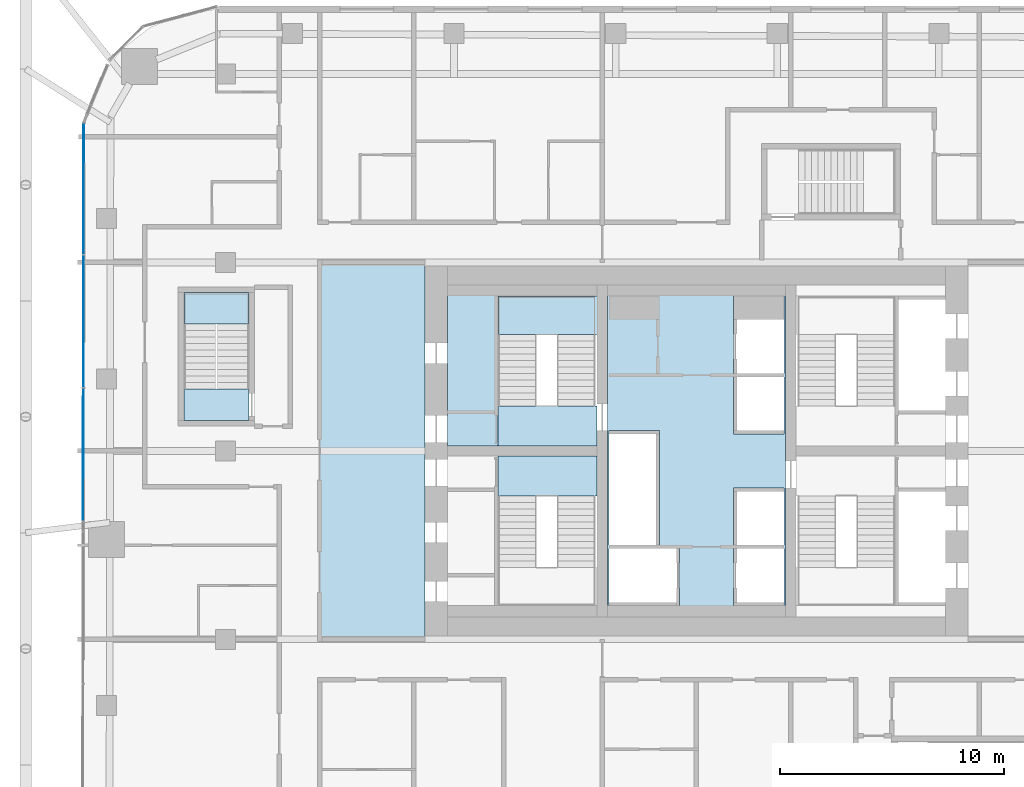
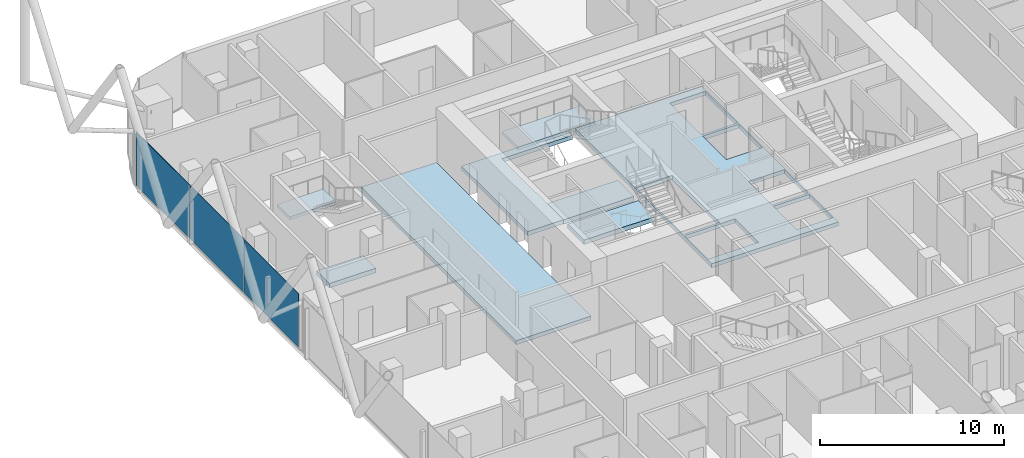
# One storey, part 24 of 36: 8 slabs, 3 plates, 3 elements without a shape of their own.
"""IFC4 building model written with IfcOpenShell, lengths in metres."""

from ifc_helpers import new_model, si_unit, direction, frame, origin, origin_2d, place, context, subcontext, project, spatial, polyline, rectangle, outline, extrude, material, layer, layer_set, type_object, element, aggregate, save


model = new_model("IFC4")

# Units and contexts
model_context = context("Model", 3, precision=1e-05, world=origin(), true_north=direction((0.0, 1.0)))
body_context = subcontext(model_context, "Body", "Model", "MODEL_VIEW")
ifc_project = project(units=[si_unit("LENGTHUNIT", "METRE"), si_unit("AREAUNIT", "SQUARE_METRE"), si_unit("VOLUMEUNIT", "CUBIC_METRE"), si_unit("PLANEANGLEUNIT", "RADIAN"), si_unit("MASSUNIT", "GRAM", prefix="KILO")], contexts=[model_context])

# Site, building, storey
site_placement = place(None, origin())
site = spatial("IfcSite", under=ifc_project, at=site_placement, CompositionType="ELEMENT")
building_placement = place(site_placement, origin())
building = spatial("IfcBuilding", under=site, at=building_placement, Name="Marenta Gate Hotel Tower", CompositionType="ELEMENT")
storey_placement = place(building_placement, frame((0.0, 0.0, 130.10009765625)))
storey = spatial("IfcBuildingStorey", under=building, at=storey_placement, Name="L29", CompositionType="ELEMENT", Elevation=130.10009765625)

# Slabs
ifc_material_1 = material(Name="Concrete C40", Category="concrete")
ifc_layer_1 = layer(ifc_material_1, 0.260009765625)
ifc_layer_set_1 = layer_set([ifc_layer_1], Name="Concrete C40")
slab_type_1 = type_object("IfcSlabType", Name="Core floor slab 260", PredefinedType="FLOOR", material=ifc_layer_set_1)
slab_1_placement = place(storey_placement, frame((0.0, 0.0, -0.260009765625)))
element("IfcSlab", 1, at=slab_1_placement, inside=storey, type_object=slab_type_1, Name="L29-CF-4", PredefinedType="FLOOR", context=body_context, shape_type="SweptSolid", body=[
    extrude(outline(polyline([(3.97509765625, 15.300048828125), (3.97509765625, 10.39990234375), (3.97509765625, 6.39990234375), (3.97509765625, 1.5), (3.97509765625, 1.0), (-3.97509765625, 1.0), (-3.97509765625, 1.5), (-3.97509765625, 6.39990234375), (-3.97509765625, 10.39990234375), (-3.97509765625, 15.300048828125), (-3.97509765625, 15.800048828125), (3.97509765625, 15.800048828125), (3.97509765625, 15.300048828125)]), holes=[polyline([(1.64990234375, 1.5), (3.89990234375, 1.5), (3.89990234375, 1.64990234375), (3.89990234375, 4.050048828125), (1.800048828125, 4.050048828125), (1.64990234375, 4.050048828125), (1.64990234375, 1.64990234375), (1.64990234375, 1.5)]), polyline([(1.64990234375, 6.60009765625), (1.64990234375, 4.199951171875), (1.800048828125, 4.199951171875), (3.89990234375, 4.199951171875), (3.89990234375, 6.60009765625), (3.89990234375, 6.75), (1.64990234375, 6.75), (1.64990234375, 6.60009765625)]), polyline([(1.64990234375, 9.14990234375), (3.89990234375, 9.14990234375), (3.89990234375, 9.300048828125), (3.89990234375, 11.699951171875), (1.800048828125, 11.699951171875), (1.64990234375, 11.699951171875), (1.64990234375, 9.300048828125), (1.64990234375, 9.14990234375)]), polyline([(1.64990234375, 15.300048828125), (1.64990234375, 14.25), (1.64990234375, 11.85009765625), (1.800048828125, 11.85009765625), (3.89990234375, 11.85009765625), (3.89990234375, 14.25), (3.89990234375, 15.300048828125), (1.64990234375, 15.300048828125)]), polyline([(-3.89990234375, 4.050048828125), (-3.89990234375, 1.64990234375), (-3.89990234375, 1.5), (-0.89990234375, 1.5), (-0.75, 1.5), (-0.75, 4.050048828125), (-0.89990234375, 4.050048828125), (-3.89990234375, 4.050048828125)]), polyline([(-1.800048828125, 4.199951171875), (-1.64990234375, 4.199951171875), (-1.64990234375, 9.14990234375), (-1.64990234375, 9.300048828125), (-3.89990234375, 9.300048828125), (-3.89990234375, 9.14990234375), (-3.89990234375, 6.75), (-3.89990234375, 6.60009765625), (-3.89990234375, 4.199951171875), (-1.800048828125, 4.199951171875)])]), origin(), (0.0, 0.0, 1.0), 0.260009765625),
])
slab_2_placement = place(storey_placement, frame((0.0, 0.0, -0.260009765625)))
element("IfcSlab", 2, at=slab_2_placement, inside=storey, type_object=slab_type_1, Name="L29-CF-6", PredefinedType="FLOOR", context=body_context, shape_type="SweptSolid", body=[
    extrude(outline(polyline([(-4.425048828125, 15.300048828125), (-8.85009765625, 15.300048828125), (-8.85009765625, 10.39990234375), (-8.85009765625, 8.699951171875), (-8.85009765625, 8.625), (-11.10009765625, 8.625), (-11.10009765625, 15.800048828125), (-4.425048828125, 15.800048828125), (-4.425048828125, 15.300048828125)])), origin(), (0.0, 0.0, 1.0), 0.260009765625),
])
slab_3_placement = place(storey_placement, frame((0.0, 0.0, -0.260009765625)))
element("IfcSlab", 3, at=slab_3_placement, inside=storey, type_object=slab_type_1, Name="L29-CF-7", PredefinedType="FLOOR", context=body_context, shape_type="SweptSolid", body=[
    extrude(outline(polyline([(-12.10009765625, 16.800048828125), (-12.10009765625, 0.0), (-16.800048828125, 0.0), (-16.800048828125, 16.800048828125), (-12.10009765625, 16.800048828125)])), origin(), (0.0, 0.0, 1.0), 0.260009765625),
])

# Stair, slab
ifc_material_2 = material(Name="Concrete C40", Category="concrete")
stair_type_1 = type_object("IfcStairType", Name="Core exit stair 1700 wide", PredefinedType="HALF_TURN_STAIR", material=ifc_material_2)
stair_1_placement = place(storey_placement, origin())
stair_1 = element("IfcStair", 4, at=stair_1_placement, inside=storey, type_object=stair_type_1, Name="Exit stair 2", PredefinedType="HALF_TURN_STAIR")
ifc_material_3 = material(Name="Concrete C40", Category="concrete")
ifc_layer_2 = layer(ifc_material_3, 0.199951171875)
ifc_layer_set_2 = layer_set([ifc_layer_2], Name="Concrete C40")
slab_type_2 = type_object("IfcSlabType", Name="Core stair landing 200", PredefinedType="LANDING", material=ifc_layer_set_2)
slab_4_placement = place(storey_placement, frame((0.0, 0.0, 1.599853515625)))
slab_4 = element("IfcSlab", 5, at=slab_4_placement, type_object=slab_type_2, Name="SL-200 ST2 landing 1", PredefinedType="LANDING", context=body_context, shape_type="SweptSolid", body=[
    extrude(outline(polyline([(-8.85009765625, 13.590087890625), (-3.97509765625, 13.590087890625), (-3.97509765625, 15.300048828125), (-8.85009765625, 15.300048828125), (-8.85009765625, 13.590087890625)])), origin(), (0.0, 0.0, 1.0), 0.199951171875),
])
aggregate(stair_1, [slab_4])

# Curtain wall, plates
ifc_material_4 = material(Name="Tinted insulated glass in bronze anodised frame", Category="glass")
ifc_layer_3 = layer(ifc_material_4, 0.1201171875)
ifc_layer_set_3 = layer_set([ifc_layer_3], Name="Tinted insulated glass in bronze anodised frame")
curtain_wall_type = type_object("IfcCurtainWallType", Name="Tower unitised curtain wall CW1", PredefinedType="NOTDEFINED", material=ifc_layer_set_3)
curtain_wall_placement = place(storey_placement, origin())
curtain_wall = element("IfcCurtainWall", 6, at=curtain_wall_placement, inside=storey, type_object=curtain_wall_type, Name="CW1 run G06", PredefinedType="NOTDEFINED")
ifc_material_5 = material(Name="Tinted insulated glass", Category="glass")
ifc_layer_4 = layer(ifc_material_5, 0.028076171875)
ifc_layer_set_4 = layer_set([ifc_layer_4], Name="Tinted insulated glass")
plate_type = type_object("IfcPlateType", Name="Glass panel CW1 28 mm tinted insulated unit", PredefinedType="CURTAIN_PANEL", material=ifc_layer_set_4)
plate_1_placement = place(storey_placement, frame((-27.31689453125, 20.0888671875, 0.059814453125), z_axis=(0.0, 0.0, 1.0), x_axis=(-0.001569680138, -0.999998768051, 0.0)))
plate_1 = element("IfcPlate", 7, at=plate_1_placement, type_object=plate_type, Name="CW1 panel 1.1", PredefinedType="CURTAIN_PANEL", context=body_context, shape_type="SweptSolid", body=[
    extrude(rectangle(XDim=5.834716796875, YDim=0.028076171875, at=origin_2d()), origin(), (0.0, 0.0, 1.0), 3.5400390625),
])
plate_2_placement = place(storey_placement, frame((-27.326171875, 14.178955078125, 0.059814453125), z_axis=(0.0, 0.0, 1.0), x_axis=(-0.001569680138, -0.999998768051, 0.0)))
plate_2 = element("IfcPlate", 8, at=plate_2_placement, type_object=plate_type, Name="CW1 panel 2.1", PredefinedType="CURTAIN_PANEL", context=body_context, shape_type="SweptSolid", body=[
    extrude(rectangle(XDim=5.86474609375, YDim=0.028076171875, at=origin_2d()), origin(), (0.0, 0.0, 1.0), 3.5400390625),
])
plate_3_placement = place(storey_placement, frame((-27.335693359375, 8.2392578125, 0.059814453125), z_axis=(0.0, 0.0, 1.0), x_axis=(-0.001569680138, -0.999998768051, 0.0)))
plate_3 = element("IfcPlate", 9, at=plate_3_placement, type_object=plate_type, Name="CW1 panel 3.1", PredefinedType="CURTAIN_PANEL", context=body_context, shape_type="SweptSolid", body=[
    extrude(rectangle(XDim=5.894775390625, YDim=0.028076171875, at=origin_2d()), origin(), (0.0, 0.0, 1.0), 3.5400390625),
])
aggregate(curtain_wall, [plate_1, plate_2, plate_3])

# Stair, slab
ifc_material_6 = material(Name="Concrete C40", Category="concrete")
stair_type_2 = type_object("IfcStairType", Name="Remote exit stair 1400 wide", PredefinedType="HALF_TURN_STAIR", material=ifc_material_6)
stair_2_placement = place(storey_placement, origin())
stair_2 = element("IfcStair", 10, at=stair_2_placement, inside=storey, type_object=stair_type_2, Name="Exit stair RS-Z1-3", PredefinedType="HALF_TURN_STAIR")
ifc_material_7 = material(Name="Concrete C40", Category="concrete")
ifc_layer_5 = layer(ifc_material_7, 0.199951171875)
ifc_layer_set_5 = layer_set([ifc_layer_5], Name="Concrete C40")
slab_type_3 = type_object("IfcSlabType", Name="Remote stair landing 200", PredefinedType="LANDING", material=ifc_layer_set_5)
slab_5_placement = place(storey_placement, frame((0.0, 0.0, 1.599853515625)))
slab_5 = element("IfcSlab", 11, at=slab_5_placement, type_object=slab_type_3, Name="RL-200 RS-Z1-3 landing 1", PredefinedType="LANDING", context=body_context, shape_type="SweptSolid", body=[
    extrude(outline(polyline([(-22.85009765625, 14.050048828125), (-19.949951171875, 14.050048828125), (-19.949951171875, 15.449951171875), (-22.85009765625, 15.449951171875), (-22.85009765625, 14.050048828125)])), origin(), (0.0, 0.0, 1.0), 0.199951171875),
])
aggregate(stair_2, [slab_5])

# Slabs
ifc_material_8 = material(Name="Concrete C40", Category="concrete")
ifc_layer_6 = layer(ifc_material_8, 0.300048828125)
ifc_layer_set_6 = layer_set([ifc_layer_6], Name="Concrete C40")
slab_type_4 = type_object("IfcSlabType", Name="Stair floor landing slab 300", PredefinedType="FLOOR", material=ifc_layer_set_6)
slab_6_placement = place(storey_placement, frame((0.0, 0.0, -0.300048828125)))
element("IfcSlab", 12, at=slab_6_placement, inside=storey, type_object=slab_type_4, Name="L29-CL-ST1-1", PredefinedType="FLOOR", context=body_context, shape_type="SweptSolid", body=[
    extrude(outline(polyline([(-4.425048828125, 6.39990234375), (-8.85009765625, 6.39990234375), (-8.85009765625, 8.10009765625), (-8.85009765625, 8.175048828125), (-4.425048828125, 8.175048828125), (-4.425048828125, 6.39990234375)])), origin(), (0.0, 0.0, 1.0), 0.300048828125),
])
slab_7_placement = place(storey_placement, frame((0.0, 0.0, -0.300048828125)))
element("IfcSlab", 13, at=slab_7_placement, inside=storey, type_object=slab_type_4, Name="L29-CL-ST2-1", PredefinedType="FLOOR", context=body_context, shape_type="SweptSolid", body=[
    extrude(outline(polyline([(-4.425048828125, 8.625), (-8.85009765625, 8.625), (-8.85009765625, 8.699951171875), (-8.85009765625, 10.39990234375), (-4.425048828125, 10.39990234375), (-4.425048828125, 8.625)])), origin(), (0.0, 0.0, 1.0), 0.300048828125),
])
slab_8_placement = place(storey_placement, frame((0.0, 0.0, -0.300048828125)))
element("IfcSlab", 14, at=slab_8_placement, inside=storey, type_object=slab_type_4, Name="L29-RS-Z1-3-CL", PredefinedType="FLOOR", context=body_context, shape_type="SweptSolid", body=[
    extrude(outline(polyline([(-19.949951171875, 9.75), (-19.949951171875, 11.14990234375), (-22.85009765625, 11.14990234375), (-22.85009765625, 9.75), (-19.949951171875, 9.75)])), origin(), (0.0, 0.0, 1.0), 0.300048828125),
])

save(model, "model.ifc")
